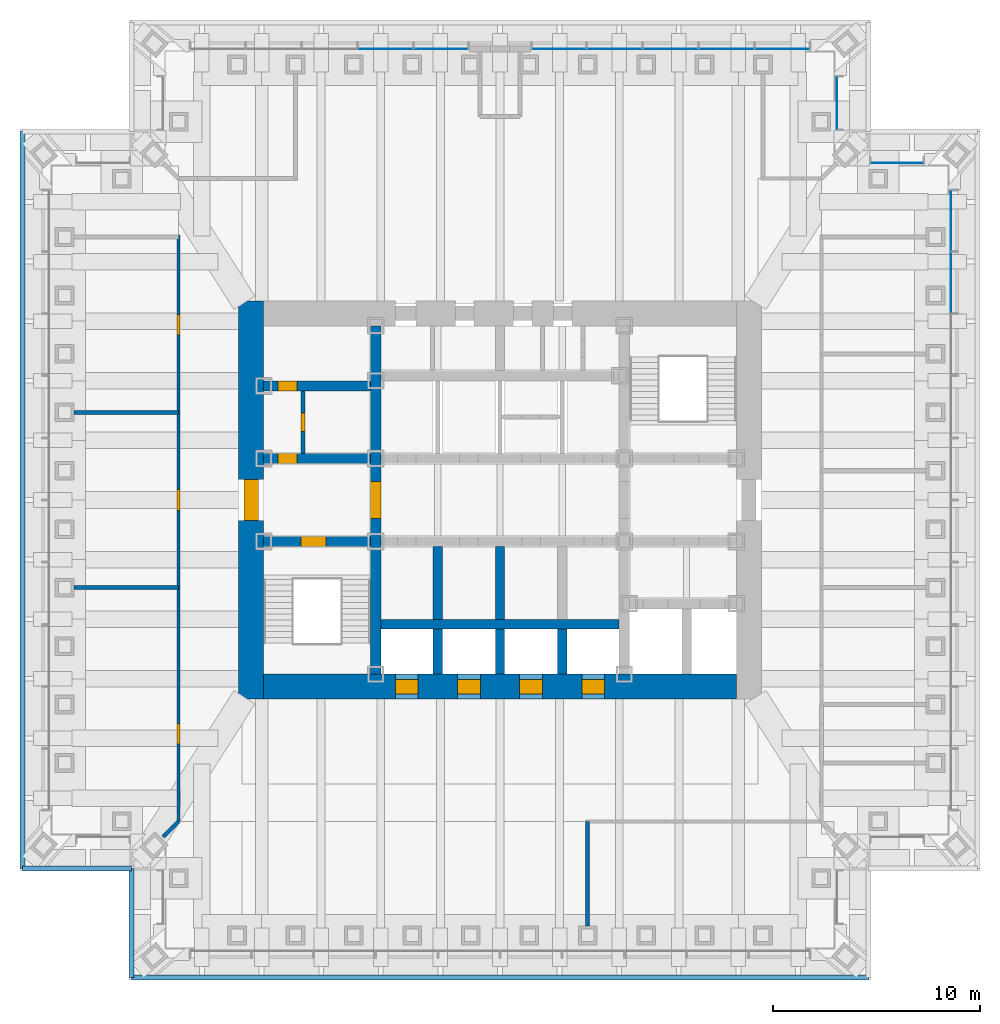
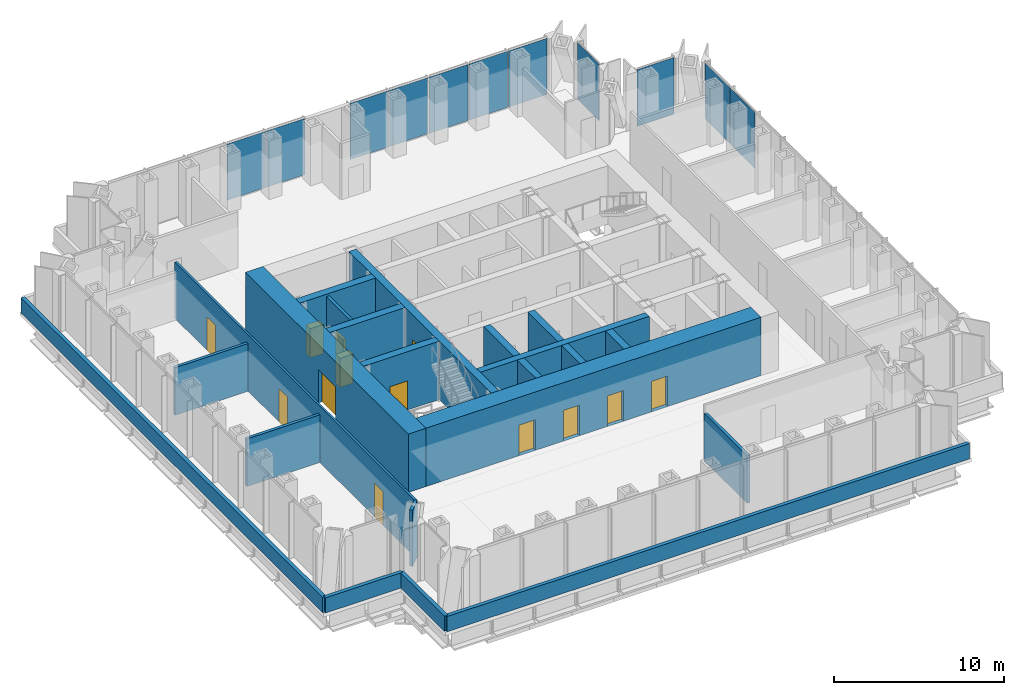
# One storey, part 8 of 12: 22 walls, 13 doors, 11 plates, 13 openings, 5 elements without a shape of their own.
"""IFC4 building model written with IfcOpenShell, lengths in metres."""

from ifc_helpers import new_model, si_unit, direction, frame, frame_2d, origin, origin_2d, place, context, subcontext, project, spatial, rectangle, extrude, material, layer, layer_set, type_object, element, fill, aggregate, save


model = new_model("IFC4")

# Units and contexts
model_context = context("Model", 3, precision=1e-05, world=origin(), true_north=direction((0.0, 1.0)))
body_context = subcontext(model_context, "Body", "Model", "MODEL_VIEW")
ifc_project = project(units=[si_unit("LENGTHUNIT", "METRE"), si_unit("AREAUNIT", "SQUARE_METRE"), si_unit("VOLUMEUNIT", "CUBIC_METRE"), si_unit("PLANEANGLEUNIT", "RADIAN"), si_unit("MASSUNIT", "GRAM", prefix="KILO")], contexts=[model_context])

# Site, building, storey
site_placement = place(None, origin())
site = spatial("IfcSite", under=ifc_project, at=site_placement, CompositionType="ELEMENT")
building_placement = place(site_placement, origin())
building = spatial("IfcBuilding", under=site, at=building_placement, Name="Daluyong Arena Tower", CompositionType="ELEMENT")
storey_placement = place(building_placement, frame((0.0, 0.0, 181.300048828125)))
storey = spatial("IfcBuildingStorey", under=building, at=storey_placement, Name="L40", CompositionType="ELEMENT", Elevation=181.300048828125)

# Curtain wall, plates
ifc_material_1 = material(Name="Bronze anodised aluminium and glass", Category="aluminium")
curtain_wall_type_1 = type_object("IfcCurtainWallType", Name="Curtain wall CW3", PredefinedType="USERDEFINED", material=ifc_material_1)
curtain_wall_1_placement = place(storey_placement, origin())
curtain_wall_1 = element("IfcCurtainWall", 1, at=curtain_wall_1_placement, inside=storey, type_object=curtain_wall_type_1, Name="curtain wall L40 E", ObjectType="UNITISED CURTAIN WALL", PredefinedType="USERDEFINED")
ifc_material_2 = material(Name="Tinted double glazed unit", Category="glass")
ifc_layer_1 = layer(ifc_material_2, 0.030029296875)
ifc_layer_set_1 = layer_set([ifc_layer_1], Name="Tinted double glazed unit")
plate_type_1 = type_object("IfcPlateType", Name="CW3 panel 30", PredefinedType="CURTAIN_PANEL", material=ifc_layer_set_1)
plate_1_placement = place(storey_placement, frame((77.75, 90.4892578125, 0.0), z_axis=(0.0, 0.0, 1.0), x_axis=(0.0, 1.0, 0.0)))
plate_1 = element("IfcPlate", 2, at=plate_1_placement, type_object=plate_type_1, Name="curtain wall L40 E panel 9", PredefinedType="CURTAIN_PANEL", context=body_context, shape_type="SweptSolid", body=[
    extrude(rectangle(XDim=2.927001953125, YDim=0.030029296875, at=origin_2d()), origin(), (0.0, 0.0, 1.0), 4.0400390625),
])
plate_2_placement = place(storey_placement, frame((77.75, 93.468505859375, 0.0), z_axis=(0.0, 0.0, 1.0), x_axis=(0.0, 1.0, 0.0)))
plate_2 = element("IfcPlate", 3, at=plate_2_placement, type_object=plate_type_1, Name="curtain wall L40 E panel 10", PredefinedType="CURTAIN_PANEL", context=body_context, shape_type="SweptSolid", body=[
    extrude(rectangle(XDim=2.891845703125, YDim=0.030029296875, at=origin_2d()), origin(), (0.0, 0.0, 1.0), 4.0400390625),
])
aggregate(curtain_wall_1, [plate_1, plate_2])

curtain_wall_2_placement = place(storey_placement, origin())
curtain_wall_2 = element("IfcCurtainWall", 4, at=curtain_wall_2_placement, inside=storey, type_object=curtain_wall_type_1, Name="curtain wall L40 N part 1", ObjectType="UNITISED CURTAIN WALL", PredefinedType="USERDEFINED")
plate_3_placement = place(storey_placement, frame((69.6162109375, 101.75, 0.0), z_axis=(0.0, 0.0, 1.0), x_axis=(-1.0, 0.0, 0.0)))
plate_3 = element("IfcPlate", 5, at=plate_3_placement, type_object=plate_type_1, Name="curtain wall L40 N part 1 panel 1", PredefinedType="CURTAIN_PANEL", context=body_context, shape_type="SweptSolid", body=[
    extrude(rectangle(XDim=2.596435546875, YDim=0.030029296875, at=origin_2d()), origin(), (0.0, 0.0, 1.0), 4.0400390625),
])
plate_4_placement = place(storey_placement, frame((66.932373046875, 101.75, 0.0), z_axis=(0.0, 0.0, 1.0), x_axis=(-1.0, 0.0, 0.0)))
plate_4 = element("IfcPlate", 6, at=plate_4_placement, type_object=plate_type_1, Name="curtain wall L40 N part 1 panel 2", PredefinedType="CURTAIN_PANEL", context=body_context, shape_type="SweptSolid", body=[
    extrude(rectangle(XDim=2.63134765625, YDim=0.030029296875, at=origin_2d()), origin(), (0.0, 0.0, 1.0), 4.0400390625),
])
plate_5_placement = place(storey_placement, frame((64.23095703125, 101.75, 0.0), z_axis=(0.0, 0.0, 1.0), x_axis=(-1.0, 0.0, 0.0)))
plate_5 = element("IfcPlate", 7, at=plate_5_placement, type_object=plate_type_1, Name="curtain wall L40 N part 1 panel 3", PredefinedType="CURTAIN_PANEL", context=body_context, shape_type="SweptSolid", body=[
    extrude(rectangle(XDim=2.63134765625, YDim=0.030029296875, at=origin_2d()), origin(), (0.0, 0.0, 1.0), 4.0400390625),
])
plate_6_placement = place(storey_placement, frame((61.529541015625, 101.75, 0.0), z_axis=(0.0, 0.0, 1.0), x_axis=(-1.0, 0.0, 0.0)))
plate_6 = element("IfcPlate", 8, at=plate_6_placement, type_object=plate_type_1, Name="curtain wall L40 N part 1 panel 4", PredefinedType="CURTAIN_PANEL", context=body_context, shape_type="SweptSolid", body=[
    extrude(rectangle(XDim=2.63134765625, YDim=0.030029296875, at=origin_2d()), origin(), (0.0, 0.0, 1.0), 4.0400390625),
])
plate_7_placement = place(storey_placement, frame((58.845458984375, 101.75, 0.0), z_axis=(0.0, 0.0, 1.0), x_axis=(-1.0, 0.0, 0.0)))
plate_7 = element("IfcPlate", 9, at=plate_7_placement, type_object=plate_type_1, Name="curtain wall L40 N part 1 panel 5", PredefinedType="CURTAIN_PANEL", context=body_context, shape_type="SweptSolid", body=[
    extrude(rectangle(XDim=2.596435546875, YDim=0.030029296875, at=origin_2d()), origin(), (0.0, 0.0, 1.0), 4.0400390625),
])
aggregate(curtain_wall_2, [plate_3, plate_4, plate_5, plate_6, plate_7])

curtain_wall_3_placement = place(storey_placement, origin())
curtain_wall_3 = element("IfcCurtainWall", 10, at=curtain_wall_3_placement, inside=storey, type_object=curtain_wall_type_1, Name="curtain wall L40 N part 2", ObjectType="UNITISED CURTAIN WALL", PredefinedType="USERDEFINED")
plate_8_placement = place(storey_placement, frame((53.154541015625, 101.75, 0.0), z_axis=(0.0, 0.0, 1.0), x_axis=(-1.0, 0.0, 0.0)))
plate_8 = element("IfcPlate", 11, at=plate_8_placement, type_object=plate_type_1, Name="curtain wall L40 N part 2 panel 1", PredefinedType="CURTAIN_PANEL", context=body_context, shape_type="SweptSolid", body=[
    extrude(rectangle(XDim=2.596435546875, YDim=0.030029296875, at=origin_2d()), origin(), (0.0, 0.0, 1.0), 4.0400390625),
])
plate_9_placement = place(storey_placement, frame((50.470458984375, 101.75, 0.0), z_axis=(0.0, 0.0, 1.0), x_axis=(-1.0, 0.0, 0.0)))
plate_9 = element("IfcPlate", 12, at=plate_9_placement, type_object=plate_type_1, Name="curtain wall L40 N part 2 panel 2", PredefinedType="CURTAIN_PANEL", context=body_context, shape_type="SweptSolid", body=[
    extrude(rectangle(XDim=2.63134765625, YDim=0.030029296875, at=origin_2d()), origin(), (0.0, 0.0, 1.0), 4.0400390625),
])
aggregate(curtain_wall_3, [plate_8, plate_9])

# Curtain wall, plate
ifc_material_3 = material(Name="Bronze anodised aluminium and glass", Category="aluminium")
curtain_wall_type_2 = type_object("IfcCurtainWallType", Name="Curtain wall CW7", PredefinedType="USERDEFINED", material=ifc_material_3)
curtain_wall_4_placement = place(storey_placement, origin())
curtain_wall_4 = element("IfcCurtainWall", 13, at=curtain_wall_4_placement, inside=storey, type_object=curtain_wall_type_2, Name="curtain wall L40 NE-N", ObjectType="UNITISED CURTAIN WALL", PredefinedType="USERDEFINED")
ifc_material_4 = material(Name="Tinted double glazed unit", Category="glass")
ifc_layer_2 = layer(ifc_material_4, 0.028076171875)
ifc_layer_set_2 = layer_set([ifc_layer_2], Name="Tinted double glazed unit")
plate_type_2 = type_object("IfcPlateType", Name="CW7 panel 28", PredefinedType="CURTAIN_PANEL", material=ifc_layer_set_2)
plate_10_placement = place(storey_placement, frame((75.146484375, 96.25, 0.0), z_axis=(0.0, 0.0, 1.0), x_axis=(-1.0, 0.0, 0.0)))
plate_10 = element("IfcPlate", 14, at=plate_10_placement, type_object=plate_type_2, Name="curtain wall L40 NE-N panel 1", PredefinedType="CURTAIN_PANEL", context=body_context, shape_type="SweptSolid", body=[
    extrude(rectangle(XDim=2.52880859375, YDim=0.028076171875, at=origin_2d()), origin(), (0.0, 0.0, 1.0), 4.080078125),
])
aggregate(curtain_wall_4, [plate_10])

curtain_wall_5_placement = place(storey_placement, origin())
curtain_wall_5 = element("IfcCurtainWall", 15, at=curtain_wall_5_placement, inside=storey, type_object=curtain_wall_type_2, Name="curtain wall L40 NE-E", ObjectType="UNITISED CURTAIN WALL", PredefinedType="USERDEFINED")
plate_11_placement = place(storey_placement, frame((72.25, 99.146484375, 0.0), z_axis=(0.0, 0.0, 1.0), x_axis=(0.0, 1.0, 0.0)))
plate_11 = element("IfcPlate", 16, at=plate_11_placement, type_object=plate_type_2, Name="curtain wall L40 NE-E panel 1", PredefinedType="CURTAIN_PANEL", context=body_context, shape_type="SweptSolid", body=[
    extrude(rectangle(XDim=2.52880859375, YDim=0.028076171875, at=origin_2d()), origin(), (0.0, 0.0, 1.0), 4.080078125),
])
aggregate(curtain_wall_5, [plate_11])

# Wall, opening, door
ifc_material_5 = material(Name="Concrete fc' 45 MPa", Category="concrete")
ifc_layer_3 = layer(ifc_material_5, 0.5)
ifc_layer_set_3 = layer_set([ifc_layer_3], Name="Concrete fc' 45 MPa")
wall_type_1 = type_object("IfcWallType", Name="Core inner wall 500", PredefinedType="SHEAR", material=ifc_layer_set_3)
wall_1_placement = place(storey_placement, frame((50.0, 71.60009765625, 0.0), z_axis=(0.0, 0.0, 1.0), x_axis=(0.0, 1.0, 0.0)))
wall_1 = element("IfcWall", 17, at=wall_1_placement, inside=storey, type_object=wall_type_1, Name="core inner wall at L40", PredefinedType="SHEAR", context=body_context, shape_type="SweptSolid", body=[
    extrude(rectangle(XDim=16.7998046875, YDim=0.5, at=frame_2d((8.39990234375, 0.0))), origin(), (0.0, 0.0, 1.0), 4.199951171875),
])
opening_1_placement = place(wall_1_placement, frame((7.5, 0.0, 0.0)))
opening_1 = element("IfcOpeningElement", 18, at=opening_1_placement, cuts=wall_1, Name="Opening 40022", PredefinedType="OPENING", context=body_context, shape_type="SweptSolid", body=[
    extrude(rectangle(XDim=1.800048828125, YDim=2.39990234375, at=frame_2d((0.89990234375, 1.199951171875))), frame((0.0, 0.260009765625, 0.0), z_axis=(0.0, -1.0, 0.0), x_axis=(1.0, 0.0, 0.0)), (0.0, 0.0, 1.0), 0.52001953125),
])
ifc_material_6 = material(Name="Steel door, fire rated", Category="steel")
door_type_1 = type_object("IfcDoorType", Name="Lift lobby opening door 1800", OperationType="DOUBLE_DOOR_SINGLE_SWING", PredefinedType="DOOR", material=ifc_material_6)
door_1_placement = place(opening_1_placement, origin())
door_1 = element("IfcDoor", 19, at=door_1_placement, inside=storey, type_object=door_type_1, Name="lift lobby door west 40022", OperationType="DOUBLE_DOOR_SINGLE_SWING", OverallHeight=2.39990234375, OverallWidth=1.800048828125, PredefinedType="DOOR", context=body_context, shape_type="SweptSolid", body=[
    extrude(rectangle(XDim=1.800048828125, YDim=2.39990234375, at=frame_2d((0.89990234375, 1.199951171875))), frame((0.0, 0.249755859375, 0.0), z_axis=(0.0, -1.0, 0.0), x_axis=(1.0, 0.0, 0.0)), (0.0, 0.0, 1.0), 0.49951171875),
])
fill(opening_1, door_1)

wall_2_placement = place(storey_placement, frame((44.60009765625, 78.0, 0.0), z_axis=(0.0, 0.0, 1.0), x_axis=(1.0, 0.0, 0.0)))
wall_2 = element("IfcWall", 20, at=wall_2_placement, inside=storey, type_object=wall_type_1, Name="core inner wall at L40", PredefinedType="SHEAR", context=body_context, shape_type="SweptSolid", body=[
    extrude(rectangle(XDim=5.14990234375, YDim=0.5, at=frame_2d((2.574951171875, 0.0))), origin(), (0.0, 0.0, 1.0), 4.199951171875),
])
opening_2_placement = place(wall_2_placement, frame((1.800048828125, 0.0, 0.0)))
opening_2 = element("IfcOpeningElement", 21, at=opening_2_placement, cuts=wall_2, Name="Opening 40018", PredefinedType="OPENING", context=body_context, shape_type="SweptSolid", body=[
    extrude(rectangle(XDim=1.199951171875, YDim=2.10009765625, at=frame_2d((0.60009765625, 1.050048828125))), frame((0.0, 0.260009765625, 0.0), z_axis=(0.0, -1.0, 0.0), x_axis=(1.0, 0.0, 0.0)), (0.0, 0.0, 1.0), 0.52001953125),
])
ifc_material_7 = material(Name="Steel door, fire rated", Category="steel")
door_type_2 = type_object("IfcDoorType", Name="Stair door 1200", OperationType="SINGLE_SWING_LEFT", PredefinedType="DOOR", material=ifc_material_7)
door_2_placement = place(opening_2_placement, origin())
door_2 = element("IfcDoor", 22, at=door_2_placement, inside=storey, type_object=door_type_2, Name="stair A door 40018", OperationType="SINGLE_SWING_LEFT", OverallHeight=2.10009765625, OverallWidth=1.199951171875, PredefinedType="DOOR", context=body_context, shape_type="SweptSolid", body=[
    extrude(rectangle(XDim=1.199951171875, YDim=2.10009765625, at=frame_2d((0.60009765625, 1.050048828125))), frame((0.0, 0.249755859375, 0.0), z_axis=(0.0, -1.0, 0.0), x_axis=(1.0, 0.0, 0.0)), (0.0, 0.0, 1.0), 0.49951171875),
])
fill(opening_2, door_2)

wall_3_placement = place(storey_placement, frame((44.60009765625, 82.0, 0.0), z_axis=(0.0, 0.0, 1.0), x_axis=(1.0, 0.0, 0.0)))
wall_3 = element("IfcWall", 23, at=wall_3_placement, inside=storey, type_object=wall_type_1, Name="core inner wall at L40", PredefinedType="SHEAR", context=body_context, shape_type="SweptSolid", body=[
    extrude(rectangle(XDim=5.14990234375, YDim=0.5, at=frame_2d((2.574951171875, 0.0))), origin(), (0.0, 0.0, 1.0), 4.199951171875),
])
opening_3_placement = place(wall_3_placement, frame((0.699951171875, 0.0, 0.0)))
opening_3 = element("IfcOpeningElement", 24, at=opening_3_placement, cuts=wall_3, Name="Opening 40001", PredefinedType="OPENING", context=body_context, shape_type="SweptSolid", body=[
    extrude(rectangle(XDim=0.89990234375, YDim=2.10009765625, at=frame_2d((0.449951171875, 1.050048828125))), frame((0.0, 0.260009765625, 0.0), z_axis=(0.0, -1.0, 0.0), x_axis=(1.0, 0.0, 0.0)), (0.0, 0.0, 1.0), 0.52001953125),
])
ifc_material_8 = material(Name="Steel door, fire rated", Category="steel")
door_type_3 = type_object("IfcDoorType", Name="Core room door 900", OperationType="SINGLE_SWING_LEFT", PredefinedType="DOOR", material=ifc_material_8)
door_3_placement = place(opening_3_placement, origin())
door_3 = element("IfcDoor", 25, at=door_3_placement, inside=storey, type_object=door_type_3, Name="toilet lobby door 40001", OperationType="SINGLE_SWING_LEFT", OverallHeight=2.10009765625, OverallWidth=0.89990234375, PredefinedType="DOOR", context=body_context, shape_type="SweptSolid", body=[
    extrude(rectangle(XDim=0.89990234375, YDim=2.10009765625, at=frame_2d((0.449951171875, 1.050048828125))), frame((0.0, 0.249755859375, 0.0), z_axis=(0.0, -1.0, 0.0), x_axis=(1.0, 0.0, 0.0)), (0.0, 0.0, 1.0), 0.49951171875),
])
fill(opening_3, door_3)

wall_4_placement = place(storey_placement, frame((44.60009765625, 85.5, 0.0), z_axis=(0.0, 0.0, 1.0), x_axis=(1.0, 0.0, 0.0)))
wall_4 = element("IfcWall", 26, at=wall_4_placement, inside=storey, type_object=wall_type_1, Name="core inner wall at L40", PredefinedType="SHEAR", context=body_context, shape_type="SweptSolid", body=[
    extrude(rectangle(XDim=5.14990234375, YDim=0.5, at=frame_2d((2.574951171875, 0.0))), origin(), (0.0, 0.0, 1.0), 4.199951171875),
])
opening_4_placement = place(wall_4_placement, frame((0.699951171875, 0.0, 0.0)))
opening_4 = element("IfcOpeningElement", 27, at=opening_4_placement, cuts=wall_4, Name="Opening 40003", PredefinedType="OPENING", context=body_context, shape_type="SweptSolid", body=[
    extrude(rectangle(XDim=0.89990234375, YDim=2.10009765625, at=frame_2d((0.449951171875, 1.050048828125))), frame((0.0, 0.260009765625, 0.0), z_axis=(0.0, -1.0, 0.0), x_axis=(1.0, 0.0, 0.0)), (0.0, 0.0, 1.0), 0.52001953125),
])
ifc_material_9 = material(Name="Timber door", Category="wood")
door_type_4 = type_object("IfcDoorType", Name="Toilet door 900", OperationType="SINGLE_SWING_RIGHT", PredefinedType="DOOR", material=ifc_material_9)
door_4_placement = place(opening_4_placement, origin())
door_4 = element("IfcDoor", 28, at=door_4_placement, inside=storey, type_object=door_type_4, Name="female toilet door 40003", OperationType="SINGLE_SWING_RIGHT", OverallHeight=2.10009765625, OverallWidth=0.89990234375, PredefinedType="DOOR", context=body_context, shape_type="SweptSolid", body=[
    extrude(rectangle(XDim=0.89990234375, YDim=2.10009765625, at=frame_2d((0.449951171875, 1.050048828125))), frame((0.0, 0.249755859375, 0.0), z_axis=(0.0, -1.0, 0.0), x_axis=(1.0, 0.0, 0.0)), (0.0, 0.0, 1.0), 0.49951171875),
])
fill(opening_4, door_4)

ifc_material_10 = material(Name="Concrete fc' 60 MPa", Category="concrete")
ifc_layer_4 = layer(ifc_material_10, 1.199951171875)
ifc_layer_set_4 = layer_set([ifc_layer_4], Name="Concrete fc' 60 MPa")
wall_type_2 = type_object("IfcWallType", Name="Core wall 1200", PredefinedType="SHEAR", material=ifc_layer_set_4)
wall_5_placement = place(storey_placement, frame((44.0, 70.39990234375, 0.0), z_axis=(0.0, 0.0, 1.0), x_axis=(0.0, 1.0, 0.0)))
wall_5 = element("IfcWall", 29, at=wall_5_placement, inside=storey, type_object=wall_type_2, Name="core wall at L40", PredefinedType="SHEAR", context=body_context, shape_type="SweptSolid", body=[
    extrude(rectangle(XDim=19.2001953125, YDim=1.199951171875, at=frame_2d((9.60009765625, 0.0))), origin(), (0.0, 0.0, 1.0), 4.199951171875),
])
opening_5_placement = place(wall_5_placement, frame((8.60009765625, 0.0, 0.0)))
opening_5 = element("IfcOpeningElement", 30, at=opening_5_placement, cuts=wall_5, Name="Opening 40020", PredefinedType="OPENING", context=body_context, shape_type="SweptSolid", body=[
    extrude(rectangle(XDim=2.0, YDim=2.39990234375, at=frame_2d((1.0, 1.199951171875))), frame((0.0, 0.60986328125, 0.0), z_axis=(0.0, -1.0, 0.0), x_axis=(1.0, 0.0, 0.0)), (0.0, 0.0, 1.0), 1.219970703125),
])
ifc_material_11 = material(Name="Steel door, fire rated", Category="steel")
door_type_5 = type_object("IfcDoorType", Name="Core lobby double door 2000", OperationType="DOUBLE_DOOR_SINGLE_SWING", PredefinedType="DOOR", material=ifc_material_11)
door_5_placement = place(opening_5_placement, origin())
door_5 = element("IfcDoor", 31, at=door_5_placement, inside=storey, type_object=door_type_5, Name="core lobby door west 40020", OperationType="DOUBLE_DOOR_SINGLE_SWING", OverallHeight=2.39990234375, OverallWidth=2.0, PredefinedType="DOOR", context=body_context, shape_type="SweptSolid", body=[
    extrude(rectangle(XDim=2.0, YDim=2.39990234375, at=frame_2d((1.0, 1.199951171875))), frame((0.0, 0.35009765625, 0.0), z_axis=(0.0, -1.0, 0.0), x_axis=(1.0, 0.0, 0.0)), (0.0, 0.0, 1.0), 0.699951171875),
])
fill(opening_5, door_5)

# Wall, openings, doors
wall_6_placement = place(storey_placement, frame((44.60009765625, 71.0, 0.0), z_axis=(0.0, 0.0, 1.0), x_axis=(1.0, 0.0, 0.0)))
wall_6 = element("IfcWall", 32, at=wall_6_placement, inside=storey, type_object=wall_type_2, Name="core wall at L40", PredefinedType="SHEAR", context=body_context, shape_type="SweptSolid", body=[
    extrude(rectangle(XDim=22.7998046875, YDim=1.199951171875, at=frame_2d((11.39990234375, 0.0))), origin(), (0.0, 0.0, 1.0), 4.199951171875),
])
opening_6_placement = place(wall_6_placement, frame((6.35009765625, 0.0, 0.0)))
opening_6 = element("IfcOpeningElement", 33, at=opening_6_placement, cuts=wall_6, Name="Opening 40025", PredefinedType="OPENING", context=body_context, shape_type="SweptSolid", body=[
    extrude(rectangle(XDim=1.10009765625, YDim=2.199951171875, at=frame_2d((0.550048828125, 1.10009765625))), frame((0.0, 0.60986328125, 0.0), z_axis=(0.0, -1.0, 0.0), x_axis=(1.0, 0.0, 0.0)), (0.0, 0.0, 1.0), 1.219970703125),
])
opening_7_placement = place(wall_6_placement, frame((9.35009765625, 0.0, 0.0)))
opening_7 = element("IfcOpeningElement", 34, at=opening_7_placement, cuts=wall_6, Name="Opening 40026", PredefinedType="OPENING", context=body_context, shape_type="SweptSolid", body=[
    extrude(rectangle(XDim=1.10009765625, YDim=2.199951171875, at=frame_2d((0.550048828125, 1.10009765625))), frame((0.0, 0.60986328125, 0.0), z_axis=(0.0, -1.0, 0.0), x_axis=(1.0, 0.0, 0.0)), (0.0, 0.0, 1.0), 1.219970703125),
])
opening_8_placement = place(wall_6_placement, frame((12.35009765625, 0.0, 0.0)))
opening_8 = element("IfcOpeningElement", 35, at=opening_8_placement, cuts=wall_6, Name="Opening 40027", PredefinedType="OPENING", context=body_context, shape_type="SweptSolid", body=[
    extrude(rectangle(XDim=1.10009765625, YDim=2.199951171875, at=frame_2d((0.550048828125, 1.10009765625))), frame((0.0, 0.60986328125, 0.0), z_axis=(0.0, -1.0, 0.0), x_axis=(1.0, 0.0, 0.0)), (0.0, 0.0, 1.0), 1.219970703125),
])
opening_9_placement = place(wall_6_placement, frame((15.35009765625, 0.0, 0.0)))
opening_9 = element("IfcOpeningElement", 36, at=opening_9_placement, cuts=wall_6, Name="Opening 40028", PredefinedType="OPENING", context=body_context, shape_type="SweptSolid", body=[
    extrude(rectangle(XDim=1.10009765625, YDim=2.199951171875, at=frame_2d((0.550048828125, 1.10009765625))), frame((0.0, 0.60986328125, 0.0), z_axis=(0.0, -1.0, 0.0), x_axis=(1.0, 0.0, 0.0)), (0.0, 0.0, 1.0), 1.219970703125),
])
ifc_material_12 = material(Name="Steel door, fire rated", Category="steel")
door_type_6 = type_object("IfcDoorType", Name="Lift landing door 1100", OperationType="SLIDING_TO_LEFT", PredefinedType="DOOR", material=ifc_material_12)
door_6_placement = place(opening_6_placement, origin())
door_6 = element("IfcDoor", 37, at=door_6_placement, inside=storey, type_object=door_type_6, Name="lift landing door C1 40025", OperationType="SLIDING_TO_LEFT", OverallHeight=2.199951171875, OverallWidth=1.10009765625, PredefinedType="DOOR", context=body_context, shape_type="SweptSolid", body=[
    extrude(rectangle(XDim=1.10009765625, YDim=2.199951171875, at=frame_2d((0.550048828125, 1.10009765625))), frame((0.0, 0.35009765625, 0.0), z_axis=(0.0, -1.0, 0.0), x_axis=(1.0, 0.0, 0.0)), (0.0, 0.0, 1.0), 0.699951171875),
])
fill(opening_6, door_6)
door_7_placement = place(opening_7_placement, origin())
door_7 = element("IfcDoor", 38, at=door_7_placement, inside=storey, type_object=door_type_6, Name="lift landing door C2 40026", OperationType="SLIDING_TO_LEFT", OverallHeight=2.199951171875, OverallWidth=1.10009765625, PredefinedType="DOOR", context=body_context, shape_type="SweptSolid", body=[
    extrude(rectangle(XDim=1.10009765625, YDim=2.199951171875, at=frame_2d((0.550048828125, 1.10009765625))), frame((0.0, 0.35009765625, 0.0), z_axis=(0.0, -1.0, 0.0), x_axis=(1.0, 0.0, 0.0)), (0.0, 0.0, 1.0), 0.699951171875),
])
fill(opening_7, door_7)
door_8_placement = place(opening_8_placement, origin())
door_8 = element("IfcDoor", 39, at=door_8_placement, inside=storey, type_object=door_type_6, Name="lift landing door C3 40027", OperationType="SLIDING_TO_LEFT", OverallHeight=2.199951171875, OverallWidth=1.10009765625, PredefinedType="DOOR", context=body_context, shape_type="SweptSolid", body=[
    extrude(rectangle(XDim=1.10009765625, YDim=2.199951171875, at=frame_2d((0.550048828125, 1.10009765625))), frame((0.0, 0.35009765625, 0.0), z_axis=(0.0, -1.0, 0.0), x_axis=(1.0, 0.0, 0.0)), (0.0, 0.0, 1.0), 0.699951171875),
])
fill(opening_8, door_8)
door_9_placement = place(opening_9_placement, origin())
door_9 = element("IfcDoor", 40, at=door_9_placement, inside=storey, type_object=door_type_6, Name="lift landing door C4 40028", OperationType="SLIDING_TO_LEFT", OverallHeight=2.199951171875, OverallWidth=1.10009765625, PredefinedType="DOOR", context=body_context, shape_type="SweptSolid", body=[
    extrude(rectangle(XDim=1.10009765625, YDim=2.199951171875, at=frame_2d((0.550048828125, 1.10009765625))), frame((0.0, 0.35009765625, 0.0), z_axis=(0.0, -1.0, 0.0), x_axis=(1.0, 0.0, 0.0)), (0.0, 0.0, 1.0), 0.699951171875),
])
fill(opening_9, door_9)

# Wall, opening, door
ifc_material_13 = material(Name="Concrete block partition, fire rated", Category="concrete")
ifc_layer_5 = layer(ifc_material_13, 0.199951171875)
ifc_layer_set_5 = layer_set([ifc_layer_5], Name="Concrete block partition, fire rated")
wall_type_3 = type_object("IfcWallType", Name="Fire-rated partition 200", PredefinedType="PARTITIONING", material=ifc_layer_set_5)
wall_7_placement = place(storey_placement, frame((46.5, 82.25, 0.0), z_axis=(0.0, 0.0, 1.0), x_axis=(0.0, 1.0, 0.0)))
wall_7 = element("IfcWall", 41, at=wall_7_placement, inside=storey, type_object=wall_type_3, Name="toilet lobby partition at L40", PredefinedType="PARTITIONING", context=body_context, shape_type="SweptSolid", body=[
    extrude(rectangle(XDim=3.0, YDim=0.199951171875, at=frame_2d((1.5, 0.0))), origin(), (0.0, 0.0, 1.0), 4.0400390625),
])
opening_10_placement = place(wall_7_placement, frame((1.050048828125, 0.0, 0.0)))
opening_10 = element("IfcOpeningElement", 42, at=opening_10_placement, cuts=wall_7, Name="Opening 40002", PredefinedType="OPENING", context=body_context, shape_type="SweptSolid", body=[
    extrude(rectangle(XDim=0.89990234375, YDim=2.10009765625, at=frame_2d((0.449951171875, 1.050048828125))), frame((0.0, 0.10986328125, 0.0), z_axis=(0.0, -1.0, 0.0), x_axis=(1.0, 0.0, 0.0)), (0.0, 0.0, 1.0), 0.219970703125),
])
door_10_placement = place(opening_10_placement, origin())
door_10 = element("IfcDoor", 43, at=door_10_placement, inside=storey, type_object=door_type_4, Name="male toilet door 40002", OperationType="SINGLE_SWING_RIGHT", OverallHeight=2.10009765625, OverallWidth=0.89990234375, PredefinedType="DOOR", context=body_context, shape_type="SweptSolid", body=[
    extrude(rectangle(XDim=0.89990234375, YDim=2.10009765625, at=frame_2d((0.449951171875, 1.050048828125))), frame((0.0, 0.099609375, 0.0), z_axis=(0.0, -1.0, 0.0), x_axis=(1.0, 0.0, 0.0)), (0.0, 0.0, 1.0), 0.199462890625),
])
fill(opening_10, door_10)

# Wall, openings, doors
ifc_material_14 = material(Name="Glazed aluminium partition", Category="aluminium")
ifc_layer_6 = layer(ifc_material_14, 0.14990234375)
ifc_layer_set_6 = layer_set([ifc_layer_6], Name="Glazed aluminium partition")
wall_type_4 = type_object("IfcWallType", Name="Glazed partition 150", PredefinedType="PARTITIONING", material=ifc_layer_set_6)
wall_8_placement = place(storey_placement, frame((40.5, 64.5, 0.0), z_axis=(0.0, 0.0, 1.0), x_axis=(0.0, 1.0, 0.0)))
wall_8 = element("IfcWall", 44, at=wall_8_placement, inside=storey, type_object=wall_type_4, Name="glazed partition at L40", PredefinedType="PARTITIONING", context=body_context, shape_type="SweptSolid", body=[
    extrude(rectangle(XDim=28.28173828125, YDim=0.14990234375, at=frame_2d((14.140869140625, 0.0))), origin(), (0.0, 0.0, 1.0), 4.0400390625),
])
opening_11_placement = place(wall_8_placement, frame((3.727294921875, 0.0, 0.0)))
opening_11 = element("IfcOpeningElement", 45, at=opening_11_placement, cuts=wall_8, Name="Opening 40040", PredefinedType="OPENING", context=body_context, shape_type="SweptSolid", body=[
    extrude(rectangle(XDim=1.0, YDim=2.39990234375, at=frame_2d((0.5, 1.199951171875))), frame((0.0, 0.0849609375, 0.0), z_axis=(0.0, -1.0, 0.0), x_axis=(1.0, 0.0, 0.0)), (0.0, 0.0, 1.0), 0.169921875),
])
opening_12_placement = place(wall_8_placement, frame((15.0, 0.0, 0.0)))
opening_12 = element("IfcOpeningElement", 46, at=opening_12_placement, cuts=wall_8, Name="Opening 40041", PredefinedType="OPENING", context=body_context, shape_type="SweptSolid", body=[
    extrude(rectangle(XDim=1.0, YDim=2.39990234375, at=frame_2d((0.5, 1.199951171875))), frame((0.0, 0.0849609375, 0.0), z_axis=(0.0, -1.0, 0.0), x_axis=(1.0, 0.0, 0.0)), (0.0, 0.0, 1.0), 0.169921875),
])
opening_13_placement = place(wall_8_placement, frame((23.45458984375, 0.0, 0.0)))
opening_13 = element("IfcOpeningElement", 47, at=opening_13_placement, cuts=wall_8, Name="Opening 40042", PredefinedType="OPENING", context=body_context, shape_type="SweptSolid", body=[
    extrude(rectangle(XDim=1.0, YDim=2.39990234375, at=frame_2d((0.5, 1.199951171875))), frame((0.0, 0.0849609375, 0.0), z_axis=(0.0, -1.0, 0.0), x_axis=(1.0, 0.0, 0.0)), (0.0, 0.0, 1.0), 0.169921875),
])
ifc_material_15 = material(Name="Glazed aluminium door", Category="aluminium")
door_type_7 = type_object("IfcDoorType", Name="Meeting room glazed door 1000", OperationType="SINGLE_SWING_RIGHT", PredefinedType="DOOR", material=ifc_material_15)
door_11_placement = place(opening_11_placement, origin())
door_11 = element("IfcDoor", 48, at=door_11_placement, inside=storey, type_object=door_type_7, Name="boardroom door 40040", OperationType="SINGLE_SWING_RIGHT", OverallHeight=2.39990234375, OverallWidth=1.0, PredefinedType="DOOR", context=body_context, shape_type="SweptSolid", body=[
    extrude(rectangle(XDim=1.0, YDim=2.39990234375, at=frame_2d((0.5, 1.199951171875))), frame((0.0, 0.07470703125, 0.0), z_axis=(0.0, -1.0, 0.0), x_axis=(1.0, 0.0, 0.0)), (0.0, 0.0, 1.0), 0.1494140625),
])
fill(opening_11, door_11)
door_12_placement = place(opening_12_placement, origin())
door_12 = element("IfcDoor", 49, at=door_12_placement, inside=storey, type_object=door_type_7, Name="meeting room door 40041", OperationType="SINGLE_SWING_RIGHT", OverallHeight=2.39990234375, OverallWidth=1.0, PredefinedType="DOOR", context=body_context, shape_type="SweptSolid", body=[
    extrude(rectangle(XDim=1.0, YDim=2.39990234375, at=frame_2d((0.5, 1.199951171875))), frame((0.0, 0.07470703125, 0.0), z_axis=(0.0, -1.0, 0.0), x_axis=(1.0, 0.0, 0.0)), (0.0, 0.0, 1.0), 0.1494140625),
])
fill(opening_12, door_12)
door_13_placement = place(opening_13_placement, origin())
door_13 = element("IfcDoor", 50, at=door_13_placement, inside=storey, type_object=door_type_7, Name="meeting room door 40042", OperationType="SINGLE_SWING_RIGHT", OverallHeight=2.39990234375, OverallWidth=1.0, PredefinedType="DOOR", context=body_context, shape_type="SweptSolid", body=[
    extrude(rectangle(XDim=1.0, YDim=2.39990234375, at=frame_2d((0.5, 1.199951171875))), frame((0.0, 0.07470703125, 0.0), z_axis=(0.0, -1.0, 0.0), x_axis=(1.0, 0.0, 0.0)), (0.0, 0.0, 1.0), 0.1494140625),
])
fill(opening_13, door_13)

# Walls
ifc_material_16 = material(Name="Concrete fc' 45 MPa", Category="concrete")
ifc_layer_7 = layer(ifc_material_16, 0.449951171875)
ifc_layer_set_7 = layer_set([ifc_layer_7], Name="Concrete fc' 45 MPa")
wall_type_5 = type_object("IfcWallType", Name="Lift shaft wall 450", PredefinedType="SHEAR", material=ifc_layer_set_7)
wall_9_placement = place(storey_placement, frame((50.25, 74.0, 0.0), z_axis=(0.0, 0.0, 1.0), x_axis=(1.0, 0.0, 0.0)))
element("IfcWall", 51, at=wall_9_placement, inside=storey, type_object=wall_type_5, Name="lift shaft wall at L40", PredefinedType="SHEAR", context=body_context, shape_type="SweptSolid", body=[
    extrude(rectangle(XDim=11.5, YDim=0.449951171875, at=frame_2d((5.75, 0.0))), origin(), (0.0, 0.0, 1.0), 4.199951171875),
])
wall_10_placement = place(storey_placement, frame((53.0, 71.60009765625, 0.0), z_axis=(0.0, 0.0, 1.0), x_axis=(0.0, 1.0, 0.0)))
element("IfcWall", 52, at=wall_10_placement, inside=storey, type_object=wall_type_5, Name="lift shaft wall at L40", PredefinedType="SHEAR", context=body_context, shape_type="SweptSolid", body=[
    extrude(rectangle(XDim=2.1748046875, YDim=0.449951171875, at=frame_2d((1.08740234375, 0.0))), origin(), (0.0, 0.0, 1.0), 4.199951171875),
])
wall_11_placement = place(storey_placement, frame((53.0, 74.22509765625, 0.0), z_axis=(0.0, 0.0, 1.0), x_axis=(0.0, 1.0, 0.0)))
element("IfcWall", 53, at=wall_11_placement, inside=storey, type_object=wall_type_5, Name="lift shaft wall at L40", PredefinedType="SHEAR", context=body_context, shape_type="SweptSolid", body=[
    extrude(rectangle(XDim=3.52490234375, YDim=0.449951171875, at=frame_2d((1.762451171875, 0.0))), origin(), (0.0, 0.0, 1.0), 4.199951171875),
])
wall_12_placement = place(storey_placement, frame((56.0, 71.60009765625, 0.0), z_axis=(0.0, 0.0, 1.0), x_axis=(0.0, 1.0, 0.0)))
element("IfcWall", 54, at=wall_12_placement, inside=storey, type_object=wall_type_5, Name="lift shaft wall at L40", PredefinedType="SHEAR", context=body_context, shape_type="SweptSolid", body=[
    extrude(rectangle(XDim=2.1748046875, YDim=0.449951171875, at=frame_2d((1.08740234375, 0.0))), origin(), (0.0, 0.0, 1.0), 4.199951171875),
])
wall_13_placement = place(storey_placement, frame((56.0, 74.22509765625, 0.0), z_axis=(0.0, 0.0, 1.0), x_axis=(0.0, 1.0, 0.0)))
element("IfcWall", 55, at=wall_13_placement, inside=storey, type_object=wall_type_5, Name="lift shaft wall at L40", PredefinedType="SHEAR", context=body_context, shape_type="SweptSolid", body=[
    extrude(rectangle(XDim=3.52490234375, YDim=0.449951171875, at=frame_2d((1.762451171875, 0.0))), origin(), (0.0, 0.0, 1.0), 4.199951171875),
])
wall_14_placement = place(storey_placement, frame((59.0, 71.60009765625, 0.0), z_axis=(0.0, 0.0, 1.0), x_axis=(0.0, 1.0, 0.0)))
element("IfcWall", 56, at=wall_14_placement, inside=storey, type_object=wall_type_5, Name="lift shaft wall at L40", PredefinedType="SHEAR", context=body_context, shape_type="SweptSolid", body=[
    extrude(rectangle(XDim=2.1748046875, YDim=0.449951171875, at=frame_2d((1.08740234375, 0.0))), origin(), (0.0, 0.0, 1.0), 4.199951171875),
])
ifc_material_17 = material(Name="Concrete block partition", Category="concrete")
ifc_layer_8 = layer(ifc_material_17, 0.199951171875)
ifc_layer_set_8 = layer_set([ifc_layer_8], Name="Concrete block partition")
wall_type_6 = type_object("IfcWallType", Name="Partition 200", PredefinedType="PARTITIONING", material=ifc_layer_set_8)
for number, where, z_axis, x_axis, name in (
    (57, (60.227294921875, 59.449951171875, 0.0), (0.0, 0.0, 1.0), (0.0, 1.0, 0.0), "partition at L40"),
    (58, (35.449951171875, 75.772705078125, 0.0), (0.0, 0.0, 1.0), (1.0, 0.0, 0.0), "partition at L40"),
    (59, (35.449951171875, 84.227294921875, 0.0), (0.0, 0.0, 1.0), (1.0, 0.0, 0.0), "partition at L40"),
):
    element("IfcWall", number, at=place(storey_placement, frame(where, z_axis=z_axis, x_axis=x_axis)), inside=storey, type_object=wall_type_6, Name=name, PredefinedType="PARTITIONING", context=body_context, shape_type="SweptSolid", body=[
        extrude(rectangle(XDim=5.050048828125, YDim=0.199951171875, at=frame_2d((2.52490234375, 0.0))), origin(), (0.0, 0.0, 1.0), 3.427734375),
    ])
wall_15_placement = place(storey_placement, frame((40.5, 64.5, 0.0), z_axis=(0.0, 0.0, 1.0), x_axis=(-0.707106781187, -0.707106781187, 0.0)))
element("IfcWall", 60, at=wall_15_placement, inside=storey, type_object=wall_type_6, Name="partition at L40", PredefinedType="PARTITIONING", context=body_context, shape_type="SweptSolid", body=[
    extrude(rectangle(XDim=1.060546875, YDim=0.199951171875, at=frame_2d((0.5302734375, 0.0))), origin(), (0.0, 0.0, 1.0), 4.0400390625),
])
ifc_material_18 = material(Name="Precast concrete fc' 45 MPa", Category="concrete")
ifc_layer_9 = layer(ifc_material_18, 0.25)
ifc_layer_set_9 = layer_set([ifc_layer_9], Name="Precast concrete fc' 45 MPa")
wall_type_7 = type_object("IfcWallType", Name="Setback roof parapet 250", PredefinedType="PARAPET", material=ifc_layer_set_9)
for number, where, z_axis, x_axis, name in (
    (61, (38.22509765625, 56.97509765625, 0.0), (0.0, 0.0, 1.0), (0.0, 1.0, 0.0), "setback roof parapet L40"),
    (62, (38.22509765625, 62.22509765625, 0.0), (0.0, 0.0, 1.0), (-1.0, 0.0, 0.0), "setback roof parapet L40"),
):
    element("IfcWall", number, at=place(storey_placement, frame(where, z_axis=z_axis, x_axis=x_axis)), inside=storey, type_object=wall_type_7, Name=name, PredefinedType="PARAPET", context=body_context, shape_type="SweptSolid", body=[
        extrude(rectangle(XDim=5.25, YDim=0.25, at=frame_2d((2.625, 0.0))), origin(), (0.0, 0.0, 1.0), 1.099853515625),
    ])
for number, where, z_axis, x_axis, name in (
    (63, (32.97509765625, 62.22509765625, 0.0), (0.0, 0.0, 1.0), (0.0, 1.0, 0.0), "setback roof parapet L40"),
    (64, (73.77490234375, 56.97509765625, 0.0), (0.0, 0.0, 1.0), (-1.0, 0.0, 0.0), "setback roof parapet L40"),
):
    element("IfcWall", number, at=place(storey_placement, frame(where, z_axis=z_axis, x_axis=x_axis)), inside=storey, type_object=wall_type_7, Name=name, PredefinedType="PARAPET", context=body_context, shape_type="SweptSolid", body=[
        extrude(rectangle(XDim=35.5498046875, YDim=0.25, at=frame_2d((17.77490234375, 0.0))), origin(), (0.0, 0.0, 1.0), 1.099853515625),
    ])

save(model, "model.ifc")
